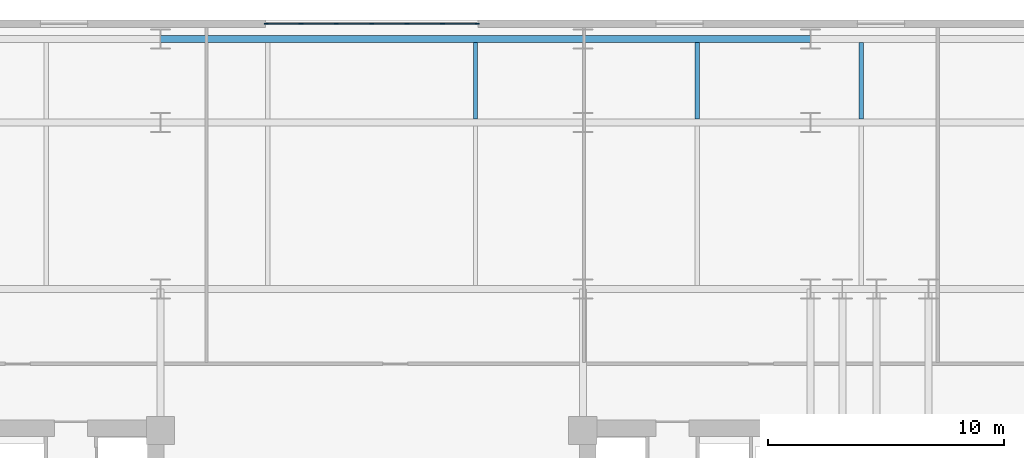
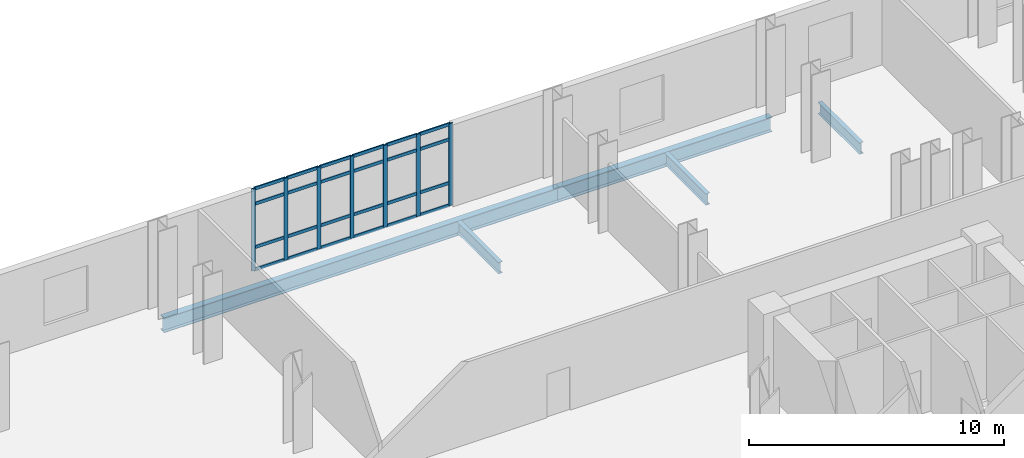
# One storey, part 5 of 13: 31 members, 5 beams, 1 element without a shape of its own.
"""IFC4 building model written with IfcOpenShell, lengths in metres."""

import ifcopenshell
import ifcopenshell.guid

model = None  # the IFC model being written
_history = None  # IfcOwnerHistory: only IFC2X3 demands one
_inside = {}  # id of a spatial element -> (the spatial element, [elements in it])
_under = {}  # id of a project, library or spatial element -> (it, [spatial elements below it])
_declared = {}  # id of a project -> (the project, [libraries it declares])
_typed = {}  # id of a type object -> (the type object, [elements of that type])
_made_of = {}  # id of a material, layer set ... -> (it, [elements and type objects made of it])


def new_model(schema):
    """Start an empty IFC model of exactly this schema.

    Asked for "IFC4X3", IfcOpenShell would pick the latest addendum, in which some entities
    have other attributes; the version numbers below select the first issue.
    IFC2X3 requires an IfcOwnerHistory on every rooted entity: one is made here for all.
    """
    global model, _history
    if schema == "IFC4X3":
        model = ifcopenshell.file(schema_version=(4, 3, 0, 0))
    else:
        model = ifcopenshell.file(schema=schema)
    _inside.clear()
    _under.clear()
    _declared.clear()
    _typed.clear()
    _made_of.clear()
    _history = None
    if model.schema == "IFC2X3":
        org = make("IfcOrganization", Name="unknown")
        user = make(
            "IfcPersonAndOrganization",
            ThePerson=make("IfcPerson", FamilyName="unknown"),
            TheOrganization=org,
        )
        app = make(
            "IfcApplication",
            ApplicationDeveloper=org,
            Version="unknown",
            ApplicationFullName="unknown",
            ApplicationIdentifier="unknown",
        )
        _history = make(
            "IfcOwnerHistory",
            OwningUser=user,
            OwningApplication=app,
            ChangeAction="ADDED",
            CreationDate=0,
        )
    return model


def make(cls, **values):
    """One entity of the class cls with the attributes given. An attribute that is None is left unset."""
    return model.create_entity(
        cls, **{name: value for name, value in values.items() if value is not None}
    )


def rooted(cls, **values):
    """An entity with a GlobalId (a new one), such as an element, a storey or a relation."""
    return make(cls, GlobalId=ifcopenshell.guid.new(), OwnerHistory=_history, **values)


def si_unit(unit_type, name, prefix=None):
    """IfcSIUnit, for example si_unit("LENGTHUNIT", "METRE", prefix="MILLI")."""
    return make("IfcSIUnit", UnitType=unit_type, Prefix=prefix, Name=name)


def assignment(units):
    """IfcUnitAssignment: the units of a project."""
    return None if units is None else make("IfcUnitAssignment", Units=units)


def point(xyz):
    """IfcCartesianPoint."""
    return None if xyz is None else make("IfcCartesianPoint", Coordinates=xyz)


def direction(xyz):
    """IfcDirection."""
    return None if xyz is None else make("IfcDirection", DirectionRatios=xyz)


def frame(location, z_axis=None, x_axis=None):
    """IfcAxis2Placement3D, a coordinate frame: its origin and axes. An axis left out is left unset."""
    return make(
        "IfcAxis2Placement3D",
        Location=point(location),
        Axis=direction(z_axis),
        RefDirection=direction(x_axis),
    )


def frame_2d(location, x_axis=None):
    """IfcAxis2Placement2D, a coordinate frame in the plane: its origin and x axis."""
    return make(
        "IfcAxis2Placement2D", Location=point(location), RefDirection=direction(x_axis)
    )


def origin():
    """The frame at (0, 0, 0) with its axes left unset."""
    return frame((0.0, 0.0, 0.0))


def origin_2d():
    """The frame at (0, 0) in the plane with its x axis left unset."""
    return frame_2d((0.0, 0.0))


def place(relative_to, where):
    """IfcLocalPlacement: puts the frame where relative to a parent placement (None: the world)."""
    return make(
        "IfcLocalPlacement", PlacementRelTo=relative_to, RelativePlacement=where
    )


def context(
    kind, dimensions, precision=None, world=None, true_north=None, identifier=None
):
    """IfcGeometricRepresentationContext, for example the 3D "Model" context."""
    return make(
        "IfcGeometricRepresentationContext",
        ContextIdentifier=identifier,
        ContextType=kind,
        CoordinateSpaceDimension=dimensions,
        Precision=precision,
        WorldCoordinateSystem=world,
        TrueNorth=true_north,
    )


def subcontext(parent, identifier, kind, view, scale=None):
    """IfcGeometricRepresentationSubContext, for example "Body" below "Model"."""
    return make(
        "IfcGeometricRepresentationSubContext",
        ContextIdentifier=identifier,
        ContextType=kind,
        ParentContext=parent,
        TargetScale=scale,
        TargetView=view,
    )


def project(units=None, contexts=None):
    """IfcProject with its units and contexts."""
    return rooted(
        "IfcProject",
        Name="project",
        RepresentationContexts=contexts,
        UnitsInContext=assignment(units),
    )


def spatial(cls, under=None, at=None, **own):
    """A site, building, storey or space (cls), placed at a placement, below another one or the project."""
    s = rooted(cls, ObjectPlacement=at, **own)
    if under is not None:
        _under.setdefault(under.id(), (under, []))[1].append(s)
    return s


def profile(cls, at=None, kind="AREA", **sizes):
    """A parametric profile (cls). Its sizes go by their IFC names, for example OverallWidth=200.0."""
    return make(cls, ProfileType=kind, Position=at, **sizes)


def rectangle(**sizes):
    """IfcRectangleProfileDef."""
    return profile("IfcRectangleProfileDef", **sizes)


def i_section(**sizes):
    """IfcIShapeProfileDef."""
    return profile("IfcIShapeProfileDef", **sizes)


def extrude(swept, where, along, depth):
    """IfcExtrudedAreaSolid: the profile swept, set in the frame where, extruded along a direction by depth."""
    return make(
        "IfcExtrudedAreaSolid",
        SweptArea=swept,
        Position=where,
        ExtrudedDirection=direction(along),
        Depth=depth,
    )


def shape(context_of_items, identifier, shape_type, items):
    """IfcShapeRepresentation: the items that make up one representation, for example the "Body"."""
    return make(
        "IfcShapeRepresentation",
        ContextOfItems=context_of_items,
        RepresentationIdentifier=identifier,
        RepresentationType=shape_type,
        Items=items,
    )


def material(Name=None, Category=None):
    """IfcMaterial."""
    return make("IfcMaterial", Name=Name, Category=Category)


def layer(
    of_material, thickness, ventilated=None, Name=None, Category=None, Priority=None
):
    """IfcMaterialLayer: one layer of a wall or slab, of a material (None: an air gap)."""
    return make(
        "IfcMaterialLayer",
        Material=of_material,
        LayerThickness=thickness,
        IsVentilated=ventilated,
        Name=Name,
        Category=Category,
        Priority=Priority,
    )


def layer_set(layers, Name=None):
    """IfcMaterialLayerSet."""
    return make("IfcMaterialLayerSet", MaterialLayers=layers, LayerSetName=Name)


def material_profile(
    of_material, cross_section, Name=None, Category=None, Priority=None
):
    """IfcMaterialProfile: a cross section and its material."""
    return make(
        "IfcMaterialProfile",
        Name=Name,
        Material=of_material,
        Profile=cross_section,
        Priority=Priority,
        Category=Category,
    )


def profile_set(profiles, Name=None, composite=None):
    """IfcMaterialProfileSet."""
    return make(
        "IfcMaterialProfileSet",
        Name=Name,
        MaterialProfiles=profiles,
        CompositeProfile=composite,
    )


def made_of(thing, what):
    """Note that an element or type object is made of a material, layer set ...; save() writes the relation."""
    if what is not None:
        _made_of.setdefault(what.id(), (what, []))[1].append(thing)
    return thing


def type_object(cls, material=None, **own):
    """A type object (cls), such as IfcWallType, which elements share."""
    return made_of(rooted(cls, **own), material)


def element(
    cls,
    number,
    at=None,
    inside=None,
    cuts=None,
    type_object=None,
    material=None,
    context=None,
    identifier="Body",
    shape_type=None,
    held_by="IfcProductDefinitionShape",
    body=None,
    shapes=None,
    **own,
):
    """One element of the class cls, such as IfcWall. Its Tag is "e" and its number.

    at: its placement. inside: the storey or other place that contains it. cuts: it is an
    opening in that element (IfcRelVoidsElement). A single representation is given by context,
    identifier, shape_type and body (its items); several are given by shapes. held_by: the class
    of the entity that holds the representations. save() writes the other relations.
    """
    e = rooted(cls, Tag="e%d" % number, ObjectPlacement=at, **own)
    if body is not None:
        shapes = [shape(context, identifier, shape_type, body)]
    if shapes is not None:
        e.Representation = make(held_by, Representations=shapes)
    if inside is not None:
        _inside.setdefault(inside.id(), (inside, []))[1].append(e)
    if cuts is not None:
        rooted(
            "IfcRelVoidsElement", RelatingBuildingElement=cuts, RelatedOpeningElement=e
        )
    if type_object is not None:
        _typed.setdefault(type_object.id(), (type_object, []))[1].append(e)
    return made_of(e, material)


def aggregate(whole, parts):
    """IfcRelAggregates: a whole, such as a stair, and the parts it consists of."""
    return rooted("IfcRelAggregates", RelatingObject=whole, RelatedObjects=parts)


def save(model, path):
    """Write the relations noted so far, then the file.

    IfcRelAggregates (storeys below a building ...), IfcRelContainedInSpatialStructure (elements
    in a storey), IfcRelDefinesByType, IfcRelAssociatesMaterial and IfcRelDeclares: one each for
    every whole, place, type object, material and project.
    """
    for whole, parts in _under.values():
        aggregate(whole, parts)
    for where, things in _inside.values():
        rooted(
            "IfcRelContainedInSpatialStructure",
            RelatedElements=things,
            RelatingStructure=where,
        )
    for kind, things in _typed.values():
        rooted("IfcRelDefinesByType", RelatedObjects=things, RelatingType=kind)
    for what, things in _made_of.values():
        rooted("IfcRelAssociatesMaterial", RelatedObjects=things, RelatingMaterial=what)
    for by, libraries in _declared.values():
        rooted("IfcRelDeclares", RelatingContext=by, RelatedDefinitions=libraries)
    model.write(path)


model = new_model("IFC4")

# Units and contexts
model_context = context("Model", 3, precision=1e-05, world=origin(), true_north=direction((0.0, 1.0)))
body_context = subcontext(model_context, "Body", "Model", "MODEL_VIEW")
ifc_project = project(units=[si_unit("LENGTHUNIT", "METRE"), si_unit("AREAUNIT", "SQUARE_METRE"), si_unit("VOLUMEUNIT", "CUBIC_METRE"), si_unit("PLANEANGLEUNIT", "RADIAN"), si_unit("MASSUNIT", "GRAM", prefix="KILO")], contexts=[model_context])

# Site, building, storey
site_placement = place(None, origin())
site = spatial("IfcSite", under=ifc_project, at=site_placement, CompositionType="ELEMENT")
building_placement = place(site_placement, origin())
building = spatial("IfcBuilding", under=site, at=building_placement, Name="Velakula Bourse", CompositionType="ELEMENT")
storey_placement = place(building_placement, frame((0.0, 0.0, 18.60009765625)))
storey = spatial("IfcBuildingStorey", under=building, at=storey_placement, Name="L04", CompositionType="ELEMENT", Elevation=18.60009765625)

# Beams
ifc_material_1 = material(Name="Steel IS 2062 Grade 350 (E350)", Category="steel")
ifc_material_profile_1 = material_profile(ifc_material_1, i_section(OverallWidth=0.300048828125, OverallDepth=0.699951171875, WebThickness=0.01611328125, FlangeThickness=0.02490234375, at=origin_2d()), Name="Steel IS 2062 Grade 350 (E350)")
ifc_profile_set_1 = profile_set([ifc_material_profile_1], Name="Steel IS 2062 Grade 350 (E350)")
beam_type_1 = type_object("IfcBeamType", Name="BM-POD-700", PredefinedType="BEAM", material=ifc_profile_set_1)
beam_1_placement = place(storey_placement, frame((-8.949951171875, 25.199951171875, -0.60009765625), z_axis=(1.0, 0.0, 0.0), x_axis=(0.0, 1.0, 0.0)))
element("IfcBeam", 1, at=beam_1_placement, inside=storey, type_object=beam_type_1, Name="L04 Podium E-W Girder 60", PredefinedType="BEAM", context=body_context, shape_type="SweptSolid", body=[
    extrude(i_section(OverallWidth=0.300048828125, OverallDepth=0.699951171875, WebThickness=0.01611328125, FlangeThickness=0.02490234375, at=origin_2d()), origin(), (0.0, 0.0, 1.0), 17.89990234375),
])
beam_2_placement = place(storey_placement, frame((8.949951171875, 25.199951171875, -0.60009765625), z_axis=(1.0, 0.0, 0.0), x_axis=(0.0, 1.0, 0.0)))
element("IfcBeam", 2, at=beam_2_placement, inside=storey, type_object=beam_type_1, Name="L04 Podium E-W Girder 61", PredefinedType="BEAM", context=body_context, shape_type="SweptSolid", body=[
    extrude(i_section(OverallWidth=0.300048828125, OverallDepth=0.699951171875, WebThickness=0.01611328125, FlangeThickness=0.02490234375, at=origin_2d()), origin(), (0.0, 0.0, 1.0), 9.650146484375),
])
ifc_material_profile_2 = material_profile(ifc_material_1, i_section(OverallWidth=0.18994140625, OverallDepth=0.550048828125, WebThickness=0.01123046875, FlangeThickness=0.019287109375, at=origin_2d()), Name="Steel IS 2062 Grade 350 (E350)")
ifc_profile_set_2 = profile_set([ifc_material_profile_2], Name="Steel IS 2062 Grade 350 (E350)")
beam_type_2 = type_object("IfcBeamType", Name="JST-POD-550", PredefinedType="JOIST", material=ifc_profile_set_2)
for number, where, z_axis, x_axis, name in (
    (3, (4.39990234375, 21.800048828125, -0.525146484375), (0.0, 1.0, 0.0), (-1.0, 0.0, 0.0), "L04 Station Podium Floor Joist 20"),
    (4, (13.800048828125, 21.800048828125, -0.525146484375), (0.0, 1.0, 0.0), (-1.0, 0.0, 0.0), "L04 Station Podium Floor Joist 24"),
    (5, (20.75, 21.800048828125, -0.525146484375), (0.0, 1.0, 0.0), (-1.0, 0.0, 0.0), "L04 Station Podium Floor Joist 28"),
):
    element("IfcBeam", number, at=place(storey_placement, frame(where, z_axis=z_axis, x_axis=x_axis)), inside=storey, type_object=beam_type_2, Name=name, PredefinedType="JOIST", context=body_context, shape_type="SweptSolid", body=[
        extrude(i_section(OverallWidth=0.18994140625, OverallDepth=0.550048828125, WebThickness=0.01123046875, FlangeThickness=0.019287109375, at=origin_2d()), origin(), (0.0, 0.0, 1.0), 3.25),
    ])

# Curtain wall, members
ifc_material_2 = material(Name="Anodised bronze architectural aluminium", Category="aluminium")
ifc_layer = layer(ifc_material_2, 0.179931640625, Name="Anodised bronze architectural aluminium", Category="aluminium")
ifc_layer_set = layer_set([ifc_layer], Name="Anodised bronze architectural aluminium")
curtain_wall_type = type_object("IfcCurtainWallType", Name="CW-PD1", PredefinedType="NOTDEFINED", material=ifc_layer_set)
curtain_wall_placement = place(storey_placement, origin())
curtain_wall = element("IfcCurtainWall", 6, at=curtain_wall_placement, inside=storey, type_object=curtain_wall_type, Name="L04 North Station Galleria Curtain Wall 2", PredefinedType="NOTDEFINED")
ifc_material_profile_3 = material_profile(ifc_material_2, rectangle(XDim=0.06005859375, YDim=0.179931640625, at=origin_2d()), Name="Anodised bronze architectural aluminium")
ifc_profile_set_3 = profile_set([ifc_material_profile_3], Name="Anodised bronze architectural aluminium")
member_type_1 = type_object("IfcMemberType", Name="MUL-CW-PD1", PredefinedType="MULLION", material=ifc_profile_set_3)
member_1_placement = place(storey_placement, frame((-4.469970703125, 25.840087890625, 0.0), z_axis=(0.0, 0.0, 1.0), x_axis=(0.0, 1.0, 0.0)))
member_1 = element("IfcMember", 7, at=member_1_placement, type_object=member_type_1, Name="CW-PD1 mullion 1", PredefinedType="MULLION", context=body_context, shape_type="SweptSolid", body=[
    extrude(rectangle(XDim=0.06005859375, YDim=0.179931640625, at=origin_2d()), origin(), (0.0, 0.0, 1.0), 3.929931640625),
])
member_2_placement = place(storey_placement, frame((-3.0, 25.840087890625, 0.0), z_axis=(0.0, 0.0, 1.0), x_axis=(0.0, 1.0, 0.0)))
member_2 = element("IfcMember", 8, at=member_2_placement, type_object=member_type_1, Name="CW-PD1 mullion 2", PredefinedType="MULLION", context=body_context, shape_type="SweptSolid", body=[
    extrude(rectangle(XDim=0.06005859375, YDim=0.179931640625, at=origin_2d()), origin(), (0.0, 0.0, 1.0), 3.929931640625),
])
member_3_placement = place(storey_placement, frame((-1.5, 25.840087890625, 0.0), z_axis=(0.0, 0.0, 1.0), x_axis=(0.0, 1.0, 0.0)))
member_3 = element("IfcMember", 9, at=member_3_placement, type_object=member_type_1, Name="CW-PD1 mullion 3", PredefinedType="MULLION", context=body_context, shape_type="SweptSolid", body=[
    extrude(rectangle(XDim=0.06005859375, YDim=0.179931640625, at=origin_2d()), origin(), (0.0, 0.0, 1.0), 3.929931640625),
])
member_4_placement = place(storey_placement, frame((0.0, 25.840087890625, 0.0), z_axis=(0.0, 0.0, 1.0), x_axis=(0.0, 1.0, 0.0)))
member_4 = element("IfcMember", 10, at=member_4_placement, type_object=member_type_1, Name="CW-PD1 mullion 4", PredefinedType="MULLION", context=body_context, shape_type="SweptSolid", body=[
    extrude(rectangle(XDim=0.06005859375, YDim=0.179931640625, at=origin_2d()), origin(), (0.0, 0.0, 1.0), 3.929931640625),
])
member_5_placement = place(storey_placement, frame((1.5, 25.840087890625, 0.0), z_axis=(0.0, 0.0, 1.0), x_axis=(0.0, 1.0, 0.0)))
member_5 = element("IfcMember", 11, at=member_5_placement, type_object=member_type_1, Name="CW-PD1 mullion 5", PredefinedType="MULLION", context=body_context, shape_type="SweptSolid", body=[
    extrude(rectangle(XDim=0.06005859375, YDim=0.179931640625, at=origin_2d()), origin(), (0.0, 0.0, 1.0), 3.929931640625),
])
member_6_placement = place(storey_placement, frame((3.0, 25.840087890625, 0.0), z_axis=(0.0, 0.0, 1.0), x_axis=(0.0, 1.0, 0.0)))
member_6 = element("IfcMember", 12, at=member_6_placement, type_object=member_type_1, Name="CW-PD1 mullion 6", PredefinedType="MULLION", context=body_context, shape_type="SweptSolid", body=[
    extrude(rectangle(XDim=0.06005859375, YDim=0.179931640625, at=origin_2d()), origin(), (0.0, 0.0, 1.0), 3.929931640625),
])
member_7_placement = place(storey_placement, frame((4.469970703125, 25.840087890625, 0.0), z_axis=(0.0, 0.0, 1.0), x_axis=(0.0, 1.0, 0.0)))
member_7 = element("IfcMember", 13, at=member_7_placement, type_object=member_type_1, Name="CW-PD1 mullion 7", PredefinedType="MULLION", context=body_context, shape_type="SweptSolid", body=[
    extrude(rectangle(XDim=0.06005859375, YDim=0.179931640625, at=origin_2d()), origin(), (0.0, 0.0, 1.0), 3.929931640625),
])
ifc_material_profile_4 = material_profile(ifc_material_2, rectangle(XDim=0.06005859375, YDim=0.14990234375, at=origin_2d()), Name="Anodised bronze architectural aluminium")
ifc_profile_set_4 = profile_set([ifc_material_profile_4], Name="Anodised bronze architectural aluminium")
member_type_2 = type_object("IfcMemberType", Name="TRN-CW-PD1", PredefinedType="USERDEFINED", material=ifc_profile_set_4)
member_8_placement = place(storey_placement, frame((-4.43994140625, 25.840087890625, 0.02978515625), z_axis=(1.0, 0.0, 0.0), x_axis=(0.0, 1.0, 0.0)))
member_8 = element("IfcMember", 14, at=member_8_placement, type_object=member_type_2, Name="CW-PD1 transom 1.1", ObjectType="TRANSOM", PredefinedType="USERDEFINED", context=body_context, shape_type="SweptSolid", body=[
    extrude(rectangle(XDim=0.06005859375, YDim=0.14990234375, at=origin_2d()), origin(), (0.0, 0.0, 1.0), 1.409912109375),
])
member_9_placement = place(storey_placement, frame((-4.43994140625, 25.840087890625, 1.099853515625), z_axis=(1.0, 0.0, 0.0), x_axis=(0.0, 1.0, 0.0)))
member_9 = element("IfcMember", 15, at=member_9_placement, type_object=member_type_2, Name="CW-PD1 transom 1.2", ObjectType="TRANSOM", PredefinedType="USERDEFINED", context=body_context, shape_type="SweptSolid", body=[
    extrude(rectangle(XDim=0.06005859375, YDim=0.14990234375, at=origin_2d()), origin(), (0.0, 0.0, 1.0), 1.409912109375),
])
member_10_placement = place(storey_placement, frame((-4.43994140625, 25.840087890625, 3.179931640625), z_axis=(1.0, 0.0, 0.0), x_axis=(0.0, 1.0, 0.0)))
member_10 = element("IfcMember", 16, at=member_10_placement, type_object=member_type_2, Name="CW-PD1 transom 1.3", ObjectType="TRANSOM", PredefinedType="USERDEFINED", context=body_context, shape_type="SweptSolid", body=[
    extrude(rectangle(XDim=0.06005859375, YDim=0.14990234375, at=origin_2d()), origin(), (0.0, 0.0, 1.0), 1.409912109375),
])
member_11_placement = place(storey_placement, frame((-4.43994140625, 25.840087890625, 3.89990234375), z_axis=(1.0, 0.0, 0.0), x_axis=(0.0, 1.0, 0.0)))
member_11 = element("IfcMember", 17, at=member_11_placement, type_object=member_type_2, Name="CW-PD1 transom 1.4", ObjectType="TRANSOM", PredefinedType="USERDEFINED", context=body_context, shape_type="SweptSolid", body=[
    extrude(rectangle(XDim=0.06005859375, YDim=0.14990234375, at=origin_2d()), origin(), (0.0, 0.0, 1.0), 1.409912109375),
])
member_12_placement = place(storey_placement, frame((-2.969970703125, 25.840087890625, 0.02978515625), z_axis=(1.0, 0.0, 0.0), x_axis=(0.0, 1.0, 0.0)))
member_12 = element("IfcMember", 18, at=member_12_placement, type_object=member_type_2, Name="CW-PD1 transom 2.1", ObjectType="TRANSOM", PredefinedType="USERDEFINED", context=body_context, shape_type="SweptSolid", body=[
    extrude(rectangle(XDim=0.06005859375, YDim=0.14990234375, at=origin_2d()), origin(), (0.0, 0.0, 1.0), 1.43994140625),
])
member_13_placement = place(storey_placement, frame((-2.969970703125, 25.840087890625, 1.099853515625), z_axis=(1.0, 0.0, 0.0), x_axis=(0.0, 1.0, 0.0)))
member_13 = element("IfcMember", 19, at=member_13_placement, type_object=member_type_2, Name="CW-PD1 transom 2.2", ObjectType="TRANSOM", PredefinedType="USERDEFINED", context=body_context, shape_type="SweptSolid", body=[
    extrude(rectangle(XDim=0.06005859375, YDim=0.14990234375, at=origin_2d()), origin(), (0.0, 0.0, 1.0), 1.43994140625),
])
member_14_placement = place(storey_placement, frame((-2.969970703125, 25.840087890625, 3.179931640625), z_axis=(1.0, 0.0, 0.0), x_axis=(0.0, 1.0, 0.0)))
member_14 = element("IfcMember", 20, at=member_14_placement, type_object=member_type_2, Name="CW-PD1 transom 2.3", ObjectType="TRANSOM", PredefinedType="USERDEFINED", context=body_context, shape_type="SweptSolid", body=[
    extrude(rectangle(XDim=0.06005859375, YDim=0.14990234375, at=origin_2d()), origin(), (0.0, 0.0, 1.0), 1.43994140625),
])
member_15_placement = place(storey_placement, frame((-2.969970703125, 25.840087890625, 3.89990234375), z_axis=(1.0, 0.0, 0.0), x_axis=(0.0, 1.0, 0.0)))
member_15 = element("IfcMember", 21, at=member_15_placement, type_object=member_type_2, Name="CW-PD1 transom 2.4", ObjectType="TRANSOM", PredefinedType="USERDEFINED", context=body_context, shape_type="SweptSolid", body=[
    extrude(rectangle(XDim=0.06005859375, YDim=0.14990234375, at=origin_2d()), origin(), (0.0, 0.0, 1.0), 1.43994140625),
])
member_16_placement = place(storey_placement, frame((-1.469970703125, 25.840087890625, 0.02978515625), z_axis=(1.0, 0.0, 0.0), x_axis=(0.0, 1.0, 0.0)))
member_16 = element("IfcMember", 22, at=member_16_placement, type_object=member_type_2, Name="CW-PD1 transom 3.1", ObjectType="TRANSOM", PredefinedType="USERDEFINED", context=body_context, shape_type="SweptSolid", body=[
    extrude(rectangle(XDim=0.06005859375, YDim=0.14990234375, at=origin_2d()), origin(), (0.0, 0.0, 1.0), 1.43994140625),
])
member_17_placement = place(storey_placement, frame((-1.469970703125, 25.840087890625, 1.099853515625), z_axis=(1.0, 0.0, 0.0), x_axis=(0.0, 1.0, 0.0)))
member_17 = element("IfcMember", 23, at=member_17_placement, type_object=member_type_2, Name="CW-PD1 transom 3.2", ObjectType="TRANSOM", PredefinedType="USERDEFINED", context=body_context, shape_type="SweptSolid", body=[
    extrude(rectangle(XDim=0.06005859375, YDim=0.14990234375, at=origin_2d()), origin(), (0.0, 0.0, 1.0), 1.43994140625),
])
member_18_placement = place(storey_placement, frame((-1.469970703125, 25.840087890625, 3.179931640625), z_axis=(1.0, 0.0, 0.0), x_axis=(0.0, 1.0, 0.0)))
member_18 = element("IfcMember", 24, at=member_18_placement, type_object=member_type_2, Name="CW-PD1 transom 3.3", ObjectType="TRANSOM", PredefinedType="USERDEFINED", context=body_context, shape_type="SweptSolid", body=[
    extrude(rectangle(XDim=0.06005859375, YDim=0.14990234375, at=origin_2d()), origin(), (0.0, 0.0, 1.0), 1.43994140625),
])
member_19_placement = place(storey_placement, frame((-1.469970703125, 25.840087890625, 3.89990234375), z_axis=(1.0, 0.0, 0.0), x_axis=(0.0, 1.0, 0.0)))
member_19 = element("IfcMember", 25, at=member_19_placement, type_object=member_type_2, Name="CW-PD1 transom 3.4", ObjectType="TRANSOM", PredefinedType="USERDEFINED", context=body_context, shape_type="SweptSolid", body=[
    extrude(rectangle(XDim=0.06005859375, YDim=0.14990234375, at=origin_2d()), origin(), (0.0, 0.0, 1.0), 1.43994140625),
])
member_20_placement = place(storey_placement, frame((0.030029296875, 25.840087890625, 0.02978515625), z_axis=(1.0, 0.0, 0.0), x_axis=(0.0, 1.0, 0.0)))
member_20 = element("IfcMember", 26, at=member_20_placement, type_object=member_type_2, Name="CW-PD1 transom 4.1", ObjectType="TRANSOM", PredefinedType="USERDEFINED", context=body_context, shape_type="SweptSolid", body=[
    extrude(rectangle(XDim=0.06005859375, YDim=0.14990234375, at=origin_2d()), origin(), (0.0, 0.0, 1.0), 1.43994140625),
])
member_21_placement = place(storey_placement, frame((0.030029296875, 25.840087890625, 1.099853515625), z_axis=(1.0, 0.0, 0.0), x_axis=(0.0, 1.0, 0.0)))
member_21 = element("IfcMember", 27, at=member_21_placement, type_object=member_type_2, Name="CW-PD1 transom 4.2", ObjectType="TRANSOM", PredefinedType="USERDEFINED", context=body_context, shape_type="SweptSolid", body=[
    extrude(rectangle(XDim=0.06005859375, YDim=0.14990234375, at=origin_2d()), origin(), (0.0, 0.0, 1.0), 1.43994140625),
])
member_22_placement = place(storey_placement, frame((0.030029296875, 25.840087890625, 3.179931640625), z_axis=(1.0, 0.0, 0.0), x_axis=(0.0, 1.0, 0.0)))
member_22 = element("IfcMember", 28, at=member_22_placement, type_object=member_type_2, Name="CW-PD1 transom 4.3", ObjectType="TRANSOM", PredefinedType="USERDEFINED", context=body_context, shape_type="SweptSolid", body=[
    extrude(rectangle(XDim=0.06005859375, YDim=0.14990234375, at=origin_2d()), origin(), (0.0, 0.0, 1.0), 1.43994140625),
])
member_23_placement = place(storey_placement, frame((0.030029296875, 25.840087890625, 3.89990234375), z_axis=(1.0, 0.0, 0.0), x_axis=(0.0, 1.0, 0.0)))
member_23 = element("IfcMember", 29, at=member_23_placement, type_object=member_type_2, Name="CW-PD1 transom 4.4", ObjectType="TRANSOM", PredefinedType="USERDEFINED", context=body_context, shape_type="SweptSolid", body=[
    extrude(rectangle(XDim=0.06005859375, YDim=0.14990234375, at=origin_2d()), origin(), (0.0, 0.0, 1.0), 1.43994140625),
])
member_24_placement = place(storey_placement, frame((1.530029296875, 25.840087890625, 0.02978515625), z_axis=(1.0, 0.0, 0.0), x_axis=(0.0, 1.0, 0.0)))
member_24 = element("IfcMember", 30, at=member_24_placement, type_object=member_type_2, Name="CW-PD1 transom 5.1", ObjectType="TRANSOM", PredefinedType="USERDEFINED", context=body_context, shape_type="SweptSolid", body=[
    extrude(rectangle(XDim=0.06005859375, YDim=0.14990234375, at=origin_2d()), origin(), (0.0, 0.0, 1.0), 1.43994140625),
])
member_25_placement = place(storey_placement, frame((1.530029296875, 25.840087890625, 1.099853515625), z_axis=(1.0, 0.0, 0.0), x_axis=(0.0, 1.0, 0.0)))
member_25 = element("IfcMember", 31, at=member_25_placement, type_object=member_type_2, Name="CW-PD1 transom 5.2", ObjectType="TRANSOM", PredefinedType="USERDEFINED", context=body_context, shape_type="SweptSolid", body=[
    extrude(rectangle(XDim=0.06005859375, YDim=0.14990234375, at=origin_2d()), origin(), (0.0, 0.0, 1.0), 1.43994140625),
])
member_26_placement = place(storey_placement, frame((1.530029296875, 25.840087890625, 3.179931640625), z_axis=(1.0, 0.0, 0.0), x_axis=(0.0, 1.0, 0.0)))
member_26 = element("IfcMember", 32, at=member_26_placement, type_object=member_type_2, Name="CW-PD1 transom 5.3", ObjectType="TRANSOM", PredefinedType="USERDEFINED", context=body_context, shape_type="SweptSolid", body=[
    extrude(rectangle(XDim=0.06005859375, YDim=0.14990234375, at=origin_2d()), origin(), (0.0, 0.0, 1.0), 1.43994140625),
])
member_27_placement = place(storey_placement, frame((1.530029296875, 25.840087890625, 3.89990234375), z_axis=(1.0, 0.0, 0.0), x_axis=(0.0, 1.0, 0.0)))
member_27 = element("IfcMember", 33, at=member_27_placement, type_object=member_type_2, Name="CW-PD1 transom 5.4", ObjectType="TRANSOM", PredefinedType="USERDEFINED", context=body_context, shape_type="SweptSolid", body=[
    extrude(rectangle(XDim=0.06005859375, YDim=0.14990234375, at=origin_2d()), origin(), (0.0, 0.0, 1.0), 1.43994140625),
])
member_28_placement = place(storey_placement, frame((3.030029296875, 25.840087890625, 0.02978515625), z_axis=(1.0, 0.0, 0.0), x_axis=(0.0, 1.0, 0.0)))
member_28 = element("IfcMember", 34, at=member_28_placement, type_object=member_type_2, Name="CW-PD1 transom 6.1", ObjectType="TRANSOM", PredefinedType="USERDEFINED", context=body_context, shape_type="SweptSolid", body=[
    extrude(rectangle(XDim=0.06005859375, YDim=0.14990234375, at=origin_2d()), origin(), (0.0, 0.0, 1.0), 1.409912109375),
])
member_29_placement = place(storey_placement, frame((3.030029296875, 25.840087890625, 1.099853515625), z_axis=(1.0, 0.0, 0.0), x_axis=(0.0, 1.0, 0.0)))
member_29 = element("IfcMember", 35, at=member_29_placement, type_object=member_type_2, Name="CW-PD1 transom 6.2", ObjectType="TRANSOM", PredefinedType="USERDEFINED", context=body_context, shape_type="SweptSolid", body=[
    extrude(rectangle(XDim=0.06005859375, YDim=0.14990234375, at=origin_2d()), origin(), (0.0, 0.0, 1.0), 1.409912109375),
])
member_30_placement = place(storey_placement, frame((3.030029296875, 25.840087890625, 3.179931640625), z_axis=(1.0, 0.0, 0.0), x_axis=(0.0, 1.0, 0.0)))
member_30 = element("IfcMember", 36, at=member_30_placement, type_object=member_type_2, Name="CW-PD1 transom 6.3", ObjectType="TRANSOM", PredefinedType="USERDEFINED", context=body_context, shape_type="SweptSolid", body=[
    extrude(rectangle(XDim=0.06005859375, YDim=0.14990234375, at=origin_2d()), origin(), (0.0, 0.0, 1.0), 1.409912109375),
])
member_31_placement = place(storey_placement, frame((3.030029296875, 25.840087890625, 3.89990234375), z_axis=(1.0, 0.0, 0.0), x_axis=(0.0, 1.0, 0.0)))
member_31 = element("IfcMember", 37, at=member_31_placement, type_object=member_type_2, Name="CW-PD1 transom 6.4", ObjectType="TRANSOM", PredefinedType="USERDEFINED", context=body_context, shape_type="SweptSolid", body=[
    extrude(rectangle(XDim=0.06005859375, YDim=0.14990234375, at=origin_2d()), origin(), (0.0, 0.0, 1.0), 1.409912109375),
])
aggregate(curtain_wall, [member_1, member_2, member_3, member_4, member_5, member_6, member_7, member_8, member_9, member_10, member_11, member_12, member_13, member_14, member_15, member_16, member_17, member_18, member_19, member_20, member_21, member_22, member_23, member_24, member_25, member_26, member_27, member_28, member_29, member_30, member_31])

save(model, "model.ifc")
